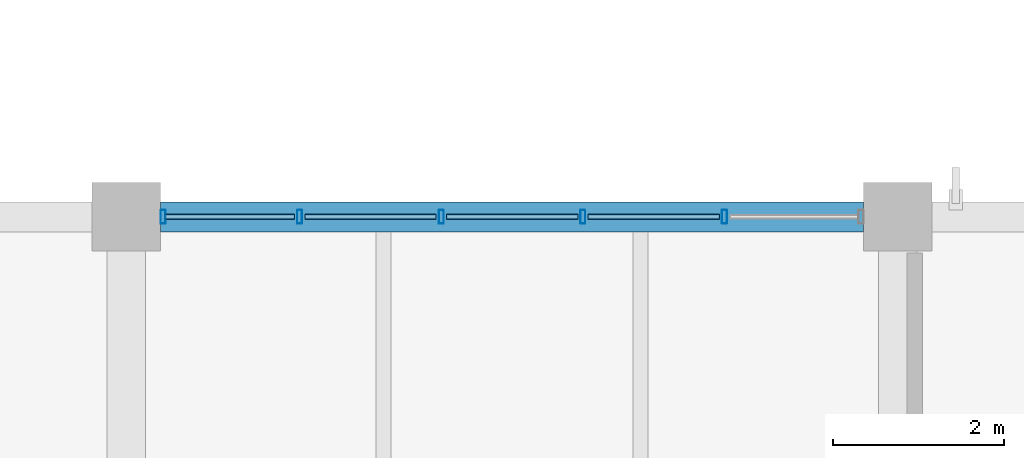
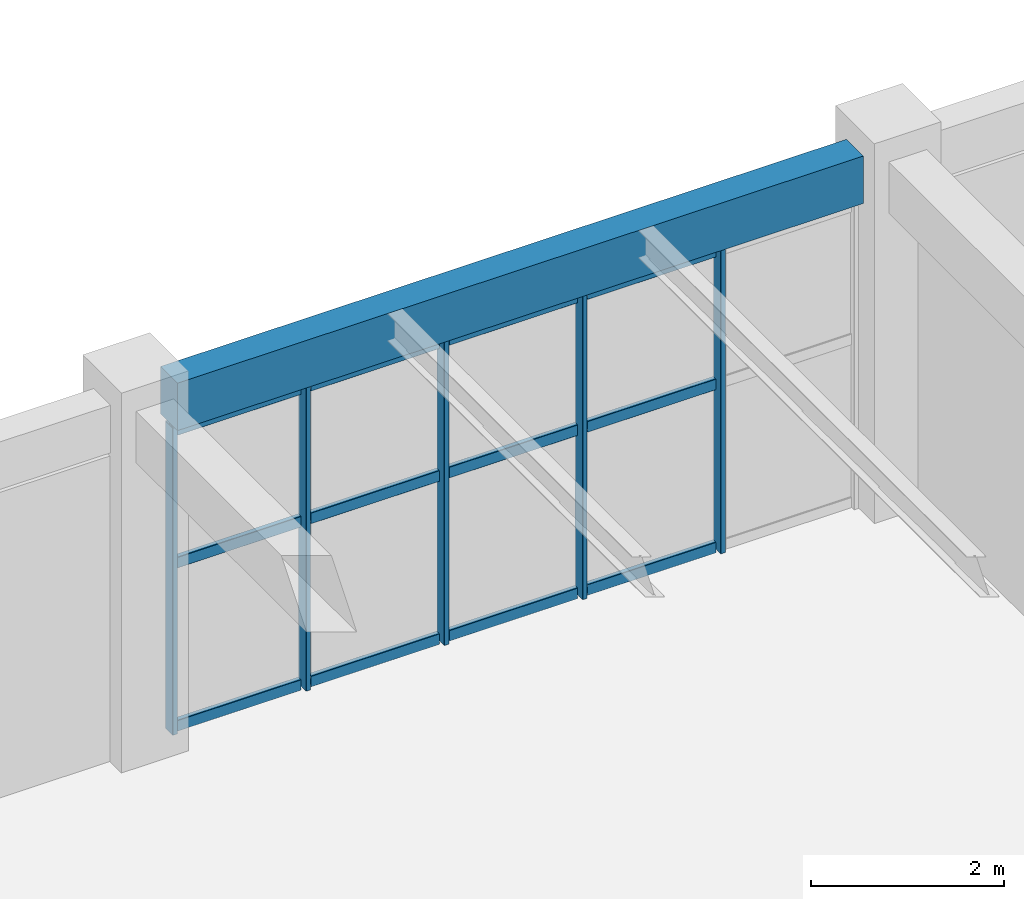
# One storey, part 136 of 178: 17 members, 1 beam, 1 element without a shape of its own.
"""IFC4 building model written with IfcOpenShell, lengths in metres."""

from ifc_helpers import new_model, si_unit, derived_unit, direction, frame, origin, origin_2d, place, context, subcontext, project, spatial, rectangle, hollow_rectangle, extrude, material, material_profile, profile_set, type_object, element, aggregate, save


model = new_model("IFC4")

# Units and contexts
model_context = context("Model", 3, precision=1e-05, world=origin(), true_north=direction((0.0, 1.0)))
body_context = subcontext(model_context, "Body", "Model", "MODEL_VIEW")
ifc_project = project(units=[si_unit("LENGTHUNIT", "METRE"), si_unit("AREAUNIT", "SQUARE_METRE"), si_unit("VOLUMEUNIT", "CUBIC_METRE"), si_unit("PLANEANGLEUNIT", "RADIAN"), si_unit("MASSUNIT", "GRAM", prefix="KILO"), derived_unit("THERMALTRANSMITTANCEUNIT", [(si_unit("MASSUNIT", "GRAM", prefix="KILO"), 1), (si_unit("TIMEUNIT", "SECOND"), -3), (si_unit("THERMODYNAMICTEMPERATUREUNIT", "KELVIN"), -1)])], contexts=[model_context])

# Site, building, storey
site_placement = place(None, origin())
site = spatial("IfcSite", under=ifc_project, at=site_placement, CompositionType="ELEMENT")
building_placement = place(site_placement, origin())
building = spatial("IfcBuilding", under=site, at=building_placement, Name="Zhenchuan Archway Interchange", CompositionType="ELEMENT")
storey_placement = place(building_placement, frame((0.0, 0.0, 5.39990234375)))
storey = spatial("IfcBuildingStorey", under=building, at=storey_placement, Name="L01", CompositionType="ELEMENT", Elevation=5.39990234375)

# Curtain wall, members
ifc_material_1 = material(Name="Anodised Aluminium", Category="aluminium")
curtain_wall_type = type_object("IfcCurtainWallType", Name="CW_UNIT_4", PredefinedType="NOTDEFINED", material=ifc_material_1)
curtain_wall_placement = place(storey_placement, origin())
curtain_wall = element("IfcCurtainWall", 1, at=curtain_wall_placement, inside=storey, type_object=curtain_wall_type, Name="Unitised curtain wall CW:L01:063", PredefinedType="NOTDEFINED")
ifc_material_profile_1 = material_profile(ifc_material_1, hollow_rectangle(XDim=0.06005859375, YDim=0.159912109375, WallThickness=0.00390625, InnerFilletRadius=0.00390625, OuterFilletRadius=0.008056640625, at=origin_2d()), Name="ALU 160x60x4")
ifc_profile_set_1 = profile_set([ifc_material_profile_1], Name="Anodised Aluminium")
member_type_1 = type_object("IfcMemberType", Name="CW_MUL_150", PredefinedType="MULLION", material=ifc_profile_set_1)
member_1_placement = place(storey_placement, frame((153.427978515625, 104.0, 0.0), z_axis=(0.0, 0.0, 1.0), x_axis=(1.0, 0.0, 0.0)))
member_1 = element("IfcMember", 2, at=member_1_placement, type_object=member_type_1, Name="CW:L01:063 mullion 0", PredefinedType="MULLION", context=body_context, shape_type="SweptSolid", body=[
    extrude(hollow_rectangle(XDim=0.06005859375, YDim=0.159912109375, WallThickness=0.00390625, InnerFilletRadius=0.00390625, OuterFilletRadius=0.008056640625, at=origin_2d()), origin(), (0.0, 0.0, 1.0), 3.880126953125),
])
member_2_placement = place(storey_placement, frame((155.020751953125, 104.0, 0.0), z_axis=(0.0, 0.0, 1.0), x_axis=(1.0, 0.0, 0.0)))
member_2 = element("IfcMember", 3, at=member_2_placement, type_object=member_type_1, Name="CW:L01:063 mullion 1", PredefinedType="MULLION", context=body_context, shape_type="SweptSolid", body=[
    extrude(hollow_rectangle(XDim=0.06005859375, YDim=0.159912109375, WallThickness=0.00390625, InnerFilletRadius=0.00390625, OuterFilletRadius=0.008056640625, at=origin_2d()), origin(), (0.0, 0.0, 1.0), 3.880126953125),
])
member_3_placement = place(storey_placement, frame((156.673583984375, 104.0, 0.0), z_axis=(0.0, 0.0, 1.0), x_axis=(1.0, 0.0, 0.0)))
member_3 = element("IfcMember", 4, at=member_3_placement, type_object=member_type_1, Name="CW:L01:063 mullion 2", PredefinedType="MULLION", context=body_context, shape_type="SweptSolid", body=[
    extrude(hollow_rectangle(XDim=0.06005859375, YDim=0.159912109375, WallThickness=0.00390625, InnerFilletRadius=0.00390625, OuterFilletRadius=0.008056640625, at=origin_2d()), origin(), (0.0, 0.0, 1.0), 3.880126953125),
])
member_4_placement = place(storey_placement, frame((158.326416015625, 104.0, 0.0), z_axis=(0.0, 0.0, 1.0), x_axis=(1.0, 0.0, 0.0)))
member_4 = element("IfcMember", 5, at=member_4_placement, type_object=member_type_1, Name="CW:L01:063 mullion 3", PredefinedType="MULLION", context=body_context, shape_type="SweptSolid", body=[
    extrude(hollow_rectangle(XDim=0.06005859375, YDim=0.159912109375, WallThickness=0.00390625, InnerFilletRadius=0.00390625, OuterFilletRadius=0.008056640625, at=origin_2d()), origin(), (0.0, 0.0, 1.0), 3.880126953125),
])
member_5_placement = place(storey_placement, frame((159.979248046875, 104.0, 0.0), z_axis=(0.0, 0.0, 1.0), x_axis=(1.0, 0.0, 0.0)))
member_5 = element("IfcMember", 6, at=member_5_placement, type_object=member_type_1, Name="CW:L01:063 mullion 4", PredefinedType="MULLION", context=body_context, shape_type="SweptSolid", body=[
    extrude(hollow_rectangle(XDim=0.06005859375, YDim=0.159912109375, WallThickness=0.00390625, InnerFilletRadius=0.00390625, OuterFilletRadius=0.008056640625, at=origin_2d()), origin(), (0.0, 0.0, 1.0), 3.880126953125),
])
ifc_material_profile_2 = material_profile(ifc_material_1, hollow_rectangle(XDim=0.06005859375, YDim=0.139892578125, WallThickness=0.00341796875, InnerFilletRadius=0.00341796875, OuterFilletRadius=0.007080078125, at=origin_2d()), Name="ALU 140x60x3.5")
ifc_profile_set_2 = profile_set([ifc_material_profile_2], Name="Anodised Aluminium")
member_type_2 = type_object("IfcMemberType", Name="CW_TRN_140", PredefinedType="USERDEFINED", material=ifc_profile_set_2)
member_6_placement = place(storey_placement, frame((153.447998046875, 104.0, 0.06005859375), z_axis=(1.0, 0.0, 0.0), x_axis=(0.0, 1.0, 0.0)))
member_6 = element("IfcMember", 7, at=member_6_placement, type_object=member_type_2, Name="CW:L01:063 transom 0-1", ObjectType="TRANSOM", PredefinedType="USERDEFINED", context=body_context, shape_type="SweptSolid", body=[
    extrude(hollow_rectangle(XDim=0.06005859375, YDim=0.139892578125, WallThickness=0.00341796875, InnerFilletRadius=0.00341796875, OuterFilletRadius=0.007080078125, at=origin_2d()), origin(), (0.0, 0.0, 1.0), 1.5126953125),
])
member_7_placement = place(storey_placement, frame((153.447998046875, 104.0, 2.123046875), z_axis=(1.0, 0.0, 0.0), x_axis=(0.0, 1.0, 0.0)))
member_7 = element("IfcMember", 8, at=member_7_placement, type_object=member_type_2, Name="CW:L01:063 transom 0-2", ObjectType="TRANSOM", PredefinedType="USERDEFINED", context=body_context, shape_type="SweptSolid", body=[
    extrude(hollow_rectangle(XDim=0.06005859375, YDim=0.139892578125, WallThickness=0.00341796875, InnerFilletRadius=0.00341796875, OuterFilletRadius=0.007080078125, at=origin_2d()), origin(), (0.0, 0.0, 1.0), 1.5126953125),
])
member_8_placement = place(storey_placement, frame((153.447998046875, 104.0, 3.800048828125), z_axis=(1.0, 0.0, 0.0), x_axis=(0.0, 1.0, 0.0)))
member_8 = element("IfcMember", 9, at=member_8_placement, type_object=member_type_2, Name="CW:L01:063 transom 0-3", ObjectType="TRANSOM", PredefinedType="USERDEFINED", context=body_context, shape_type="SweptSolid", body=[
    extrude(hollow_rectangle(XDim=0.06005859375, YDim=0.139892578125, WallThickness=0.00341796875, InnerFilletRadius=0.00341796875, OuterFilletRadius=0.007080078125, at=origin_2d()), origin(), (0.0, 0.0, 1.0), 1.5126953125),
])
member_9_placement = place(storey_placement, frame((155.080810546875, 104.0, 0.06005859375), z_axis=(1.0, 0.0, 0.0), x_axis=(0.0, 1.0, 0.0)))
member_9 = element("IfcMember", 10, at=member_9_placement, type_object=member_type_2, Name="CW:L01:063 transom 1-1", ObjectType="TRANSOM", PredefinedType="USERDEFINED", context=body_context, shape_type="SweptSolid", body=[
    extrude(hollow_rectangle(XDim=0.06005859375, YDim=0.139892578125, WallThickness=0.00341796875, InnerFilletRadius=0.00341796875, OuterFilletRadius=0.007080078125, at=origin_2d()), origin(), (0.0, 0.0, 1.0), 1.53271484375),
])
member_10_placement = place(storey_placement, frame((155.080810546875, 104.0, 2.123046875), z_axis=(1.0, 0.0, 0.0), x_axis=(0.0, 1.0, 0.0)))
member_10 = element("IfcMember", 11, at=member_10_placement, type_object=member_type_2, Name="CW:L01:063 transom 1-2", ObjectType="TRANSOM", PredefinedType="USERDEFINED", context=body_context, shape_type="SweptSolid", body=[
    extrude(hollow_rectangle(XDim=0.06005859375, YDim=0.139892578125, WallThickness=0.00341796875, InnerFilletRadius=0.00341796875, OuterFilletRadius=0.007080078125, at=origin_2d()), origin(), (0.0, 0.0, 1.0), 1.53271484375),
])
member_11_placement = place(storey_placement, frame((155.080810546875, 104.0, 3.800048828125), z_axis=(1.0, 0.0, 0.0), x_axis=(0.0, 1.0, 0.0)))
member_11 = element("IfcMember", 12, at=member_11_placement, type_object=member_type_2, Name="CW:L01:063 transom 1-3", ObjectType="TRANSOM", PredefinedType="USERDEFINED", context=body_context, shape_type="SweptSolid", body=[
    extrude(hollow_rectangle(XDim=0.06005859375, YDim=0.139892578125, WallThickness=0.00341796875, InnerFilletRadius=0.00341796875, OuterFilletRadius=0.007080078125, at=origin_2d()), origin(), (0.0, 0.0, 1.0), 1.53271484375),
])
member_12_placement = place(storey_placement, frame((156.733642578125, 104.0, 0.06005859375), z_axis=(1.0, 0.0, 0.0), x_axis=(0.0, 1.0, 0.0)))
member_12 = element("IfcMember", 13, at=member_12_placement, type_object=member_type_2, Name="CW:L01:063 transom 2-1", ObjectType="TRANSOM", PredefinedType="USERDEFINED", context=body_context, shape_type="SweptSolid", body=[
    extrude(hollow_rectangle(XDim=0.06005859375, YDim=0.139892578125, WallThickness=0.00341796875, InnerFilletRadius=0.00341796875, OuterFilletRadius=0.007080078125, at=origin_2d()), origin(), (0.0, 0.0, 1.0), 1.53271484375),
])
member_13_placement = place(storey_placement, frame((156.733642578125, 104.0, 2.123046875), z_axis=(1.0, 0.0, 0.0), x_axis=(0.0, 1.0, 0.0)))
member_13 = element("IfcMember", 14, at=member_13_placement, type_object=member_type_2, Name="CW:L01:063 transom 2-2", ObjectType="TRANSOM", PredefinedType="USERDEFINED", context=body_context, shape_type="SweptSolid", body=[
    extrude(hollow_rectangle(XDim=0.06005859375, YDim=0.139892578125, WallThickness=0.00341796875, InnerFilletRadius=0.00341796875, OuterFilletRadius=0.007080078125, at=origin_2d()), origin(), (0.0, 0.0, 1.0), 1.53271484375),
])
member_14_placement = place(storey_placement, frame((156.733642578125, 104.0, 3.800048828125), z_axis=(1.0, 0.0, 0.0), x_axis=(0.0, 1.0, 0.0)))
member_14 = element("IfcMember", 15, at=member_14_placement, type_object=member_type_2, Name="CW:L01:063 transom 2-3", ObjectType="TRANSOM", PredefinedType="USERDEFINED", context=body_context, shape_type="SweptSolid", body=[
    extrude(hollow_rectangle(XDim=0.06005859375, YDim=0.139892578125, WallThickness=0.00341796875, InnerFilletRadius=0.00341796875, OuterFilletRadius=0.007080078125, at=origin_2d()), origin(), (0.0, 0.0, 1.0), 1.53271484375),
])
member_15_placement = place(storey_placement, frame((158.386474609375, 104.0, 0.06005859375), z_axis=(1.0, 0.0, 0.0), x_axis=(0.0, 1.0, 0.0)))
member_15 = element("IfcMember", 16, at=member_15_placement, type_object=member_type_2, Name="CW:L01:063 transom 3-1", ObjectType="TRANSOM", PredefinedType="USERDEFINED", context=body_context, shape_type="SweptSolid", body=[
    extrude(hollow_rectangle(XDim=0.06005859375, YDim=0.139892578125, WallThickness=0.00341796875, InnerFilletRadius=0.00341796875, OuterFilletRadius=0.007080078125, at=origin_2d()), origin(), (0.0, 0.0, 1.0), 1.53271484375),
])
member_16_placement = place(storey_placement, frame((158.386474609375, 104.0, 2.123046875), z_axis=(1.0, 0.0, 0.0), x_axis=(0.0, 1.0, 0.0)))
member_16 = element("IfcMember", 17, at=member_16_placement, type_object=member_type_2, Name="CW:L01:063 transom 3-2", ObjectType="TRANSOM", PredefinedType="USERDEFINED", context=body_context, shape_type="SweptSolid", body=[
    extrude(hollow_rectangle(XDim=0.06005859375, YDim=0.139892578125, WallThickness=0.00341796875, InnerFilletRadius=0.00341796875, OuterFilletRadius=0.007080078125, at=origin_2d()), origin(), (0.0, 0.0, 1.0), 1.53271484375),
])
member_17_placement = place(storey_placement, frame((158.386474609375, 104.0, 3.800048828125), z_axis=(1.0, 0.0, 0.0), x_axis=(0.0, 1.0, 0.0)))
member_17 = element("IfcMember", 18, at=member_17_placement, type_object=member_type_2, Name="CW:L01:063 transom 3-3", ObjectType="TRANSOM", PredefinedType="USERDEFINED", context=body_context, shape_type="SweptSolid", body=[
    extrude(hollow_rectangle(XDim=0.06005859375, YDim=0.139892578125, WallThickness=0.00341796875, InnerFilletRadius=0.00341796875, OuterFilletRadius=0.007080078125, at=origin_2d()), origin(), (0.0, 0.0, 1.0), 1.53271484375),
])
aggregate(curtain_wall, [member_1, member_2, member_3, member_4, member_5, member_6, member_7, member_8, member_9, member_10, member_11, member_12, member_13, member_14, member_15, member_16, member_17])

# Beam
ifc_material_2 = material(Name="Concrete C40", Category="concrete")
ifc_material_profile_3 = material_profile(ifc_material_2, rectangle(XDim=0.35009765625, YDim=0.60009765625, at=origin_2d()), Name="RC 350x600")
ifc_profile_set_3 = profile_set([ifc_material_profile_3], Name="Concrete C40")
beam_type = type_object("IfcBeamType", Name="SP_RC_350x600", PredefinedType="SPANDREL", material=ifc_profile_set_3)
beam_placement = place(storey_placement, frame((153.39990234375, 104.0, 4.210205078125), z_axis=(1.0, 0.0, 0.0), x_axis=(0.0, 1.0, 0.0)))
element("IfcBeam", 19, at=beam_placement, inside=storey, type_object=beam_type, Name="Beam O:18-19 (L01)", PredefinedType="SPANDREL", context=body_context, shape_type="SweptSolid", body=[
    extrude(rectangle(XDim=0.35009765625, YDim=0.60009765625, at=origin_2d()), origin(), (0.0, 0.0, 1.0), 8.2001953125),
])

save(model, "model.ifc")
